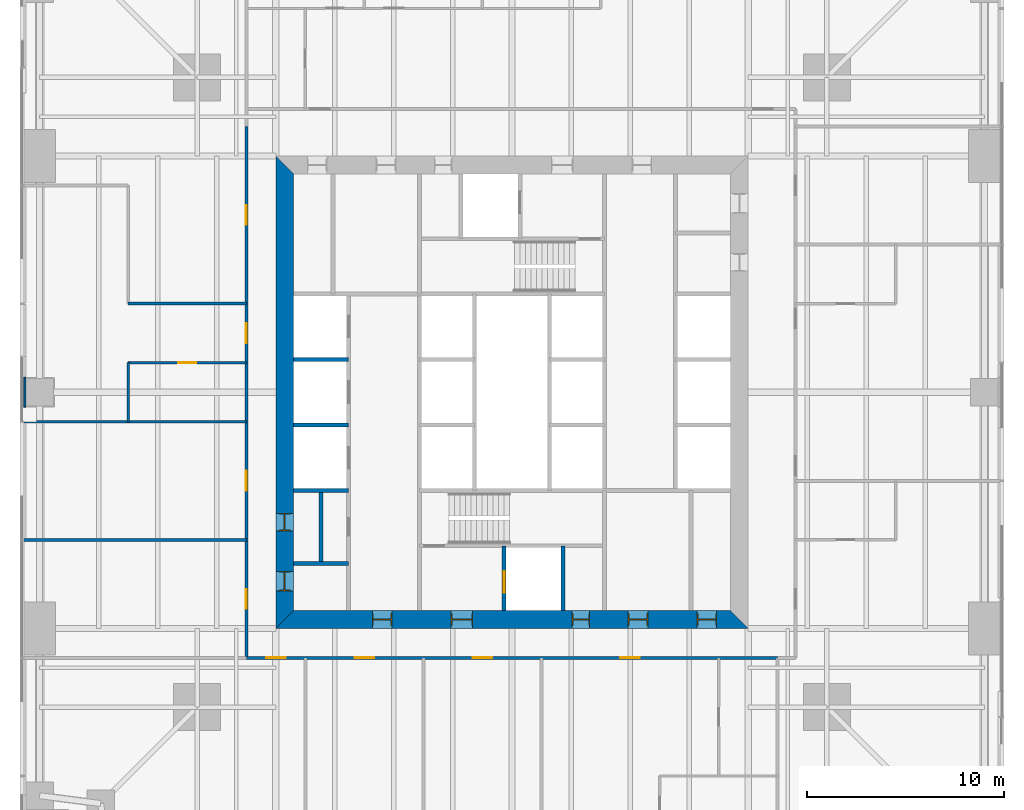
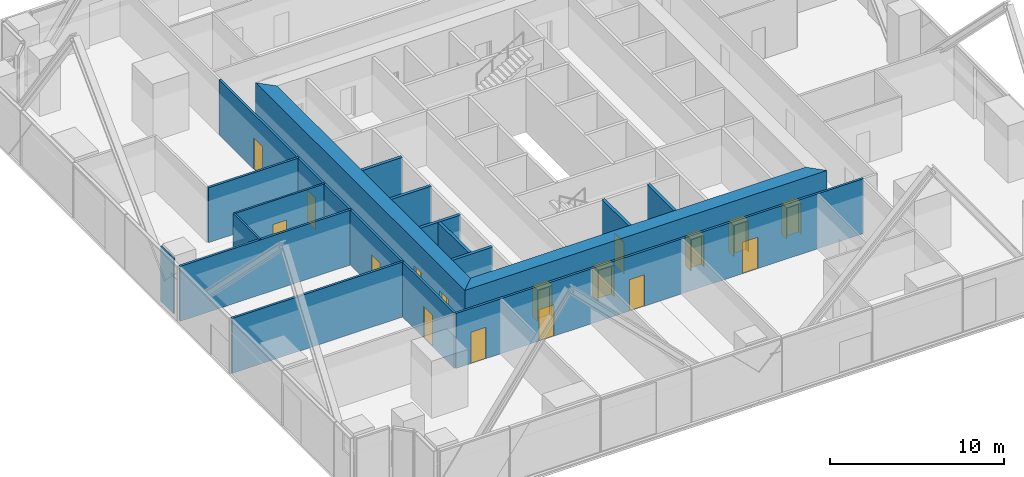
# One storey, part 9 of 13: 17 doors, 17 walls, 17 openings.
"""IFC4 building model written with IfcOpenShell, lengths in metres."""

import ifcopenshell
import ifcopenshell.guid

model = None  # the IFC model being written
_history = None  # IfcOwnerHistory: only IFC2X3 demands one
_inside = {}  # id of a spatial element -> (the spatial element, [elements in it])
_under = {}  # id of a project, library or spatial element -> (it, [spatial elements below it])
_declared = {}  # id of a project -> (the project, [libraries it declares])
_typed = {}  # id of a type object -> (the type object, [elements of that type])
_made_of = {}  # id of a material, layer set ... -> (it, [elements and type objects made of it])


def new_model(schema):
    """Start an empty IFC model of exactly this schema.

    Asked for "IFC4X3", IfcOpenShell would pick the latest addendum, in which some entities
    have other attributes; the version numbers below select the first issue.
    IFC2X3 requires an IfcOwnerHistory on every rooted entity: one is made here for all.
    """
    global model, _history
    if schema == "IFC4X3":
        model = ifcopenshell.file(schema_version=(4, 3, 0, 0))
    else:
        model = ifcopenshell.file(schema=schema)
    _inside.clear()
    _under.clear()
    _declared.clear()
    _typed.clear()
    _made_of.clear()
    _history = None
    if model.schema == "IFC2X3":
        org = make("IfcOrganization", Name="unknown")
        user = make(
            "IfcPersonAndOrganization",
            ThePerson=make("IfcPerson", FamilyName="unknown"),
            TheOrganization=org,
        )
        app = make(
            "IfcApplication",
            ApplicationDeveloper=org,
            Version="unknown",
            ApplicationFullName="unknown",
            ApplicationIdentifier="unknown",
        )
        _history = make(
            "IfcOwnerHistory",
            OwningUser=user,
            OwningApplication=app,
            ChangeAction="ADDED",
            CreationDate=0,
        )
    return model


def make(cls, **values):
    """One entity of the class cls with the attributes given. An attribute that is None is left unset."""
    return model.create_entity(
        cls, **{name: value for name, value in values.items() if value is not None}
    )


def rooted(cls, **values):
    """An entity with a GlobalId (a new one), such as an element, a storey or a relation."""
    return make(cls, GlobalId=ifcopenshell.guid.new(), OwnerHistory=_history, **values)


def si_unit(unit_type, name, prefix=None):
    """IfcSIUnit, for example si_unit("LENGTHUNIT", "METRE", prefix="MILLI")."""
    return make("IfcSIUnit", UnitType=unit_type, Prefix=prefix, Name=name)


def assignment(units):
    """IfcUnitAssignment: the units of a project."""
    return None if units is None else make("IfcUnitAssignment", Units=units)


def point(xyz):
    """IfcCartesianPoint."""
    return None if xyz is None else make("IfcCartesianPoint", Coordinates=xyz)


def direction(xyz):
    """IfcDirection."""
    return None if xyz is None else make("IfcDirection", DirectionRatios=xyz)


def frame(location, z_axis=None, x_axis=None):
    """IfcAxis2Placement3D, a coordinate frame: its origin and axes. An axis left out is left unset."""
    return make(
        "IfcAxis2Placement3D",
        Location=point(location),
        Axis=direction(z_axis),
        RefDirection=direction(x_axis),
    )


def frame_2d(location, x_axis=None):
    """IfcAxis2Placement2D, a coordinate frame in the plane: its origin and x axis."""
    return make(
        "IfcAxis2Placement2D", Location=point(location), RefDirection=direction(x_axis)
    )


def origin():
    """The frame at (0, 0, 0) with its axes left unset."""
    return frame((0.0, 0.0, 0.0))


def place(relative_to, where):
    """IfcLocalPlacement: puts the frame where relative to a parent placement (None: the world)."""
    return make(
        "IfcLocalPlacement", PlacementRelTo=relative_to, RelativePlacement=where
    )


def context(
    kind, dimensions, precision=None, world=None, true_north=None, identifier=None
):
    """IfcGeometricRepresentationContext, for example the 3D "Model" context."""
    return make(
        "IfcGeometricRepresentationContext",
        ContextIdentifier=identifier,
        ContextType=kind,
        CoordinateSpaceDimension=dimensions,
        Precision=precision,
        WorldCoordinateSystem=world,
        TrueNorth=true_north,
    )


def subcontext(parent, identifier, kind, view, scale=None):
    """IfcGeometricRepresentationSubContext, for example "Body" below "Model"."""
    return make(
        "IfcGeometricRepresentationSubContext",
        ContextIdentifier=identifier,
        ContextType=kind,
        ParentContext=parent,
        TargetScale=scale,
        TargetView=view,
    )


def project(units=None, contexts=None):
    """IfcProject with its units and contexts."""
    return rooted(
        "IfcProject",
        Name="project",
        RepresentationContexts=contexts,
        UnitsInContext=assignment(units),
    )


def spatial(cls, under=None, at=None, **own):
    """A site, building, storey or space (cls), placed at a placement, below another one or the project."""
    s = rooted(cls, ObjectPlacement=at, **own)
    if under is not None:
        _under.setdefault(under.id(), (under, []))[1].append(s)
    return s


def polyline(points):
    """IfcPolyline through the points."""
    return make("IfcPolyline", Points=[point(p) for p in points])


def profile(cls, at=None, kind="AREA", **sizes):
    """A parametric profile (cls). Its sizes go by their IFC names, for example OverallWidth=200.0."""
    return make(cls, ProfileType=kind, Position=at, **sizes)


def rectangle(**sizes):
    """IfcRectangleProfileDef."""
    return profile("IfcRectangleProfileDef", **sizes)


def outline(outer, holes=None, kind="AREA"):
    """IfcArbitraryClosedProfileDef: a profile drawn as a closed curve; with holes, ...WithVoids."""
    if holes is None:
        return make("IfcArbitraryClosedProfileDef", ProfileType=kind, OuterCurve=outer)
    return make(
        "IfcArbitraryProfileDefWithVoids",
        ProfileType=kind,
        OuterCurve=outer,
        InnerCurves=holes,
    )


def extrude(swept, where, along, depth):
    """IfcExtrudedAreaSolid: the profile swept, set in the frame where, extruded along a direction by depth."""
    return make(
        "IfcExtrudedAreaSolid",
        SweptArea=swept,
        Position=where,
        ExtrudedDirection=direction(along),
        Depth=depth,
    )


def shape(context_of_items, identifier, shape_type, items):
    """IfcShapeRepresentation: the items that make up one representation, for example the "Body"."""
    return make(
        "IfcShapeRepresentation",
        ContextOfItems=context_of_items,
        RepresentationIdentifier=identifier,
        RepresentationType=shape_type,
        Items=items,
    )


def material(Name=None, Category=None):
    """IfcMaterial."""
    return make("IfcMaterial", Name=Name, Category=Category)


def layer(
    of_material, thickness, ventilated=None, Name=None, Category=None, Priority=None
):
    """IfcMaterialLayer: one layer of a wall or slab, of a material (None: an air gap)."""
    return make(
        "IfcMaterialLayer",
        Material=of_material,
        LayerThickness=thickness,
        IsVentilated=ventilated,
        Name=Name,
        Category=Category,
        Priority=Priority,
    )


def layer_set(layers, Name=None):
    """IfcMaterialLayerSet."""
    return make("IfcMaterialLayerSet", MaterialLayers=layers, LayerSetName=Name)


def made_of(thing, what):
    """Note that an element or type object is made of a material, layer set ...; save() writes the relation."""
    if what is not None:
        _made_of.setdefault(what.id(), (what, []))[1].append(thing)
    return thing


def type_object(cls, material=None, **own):
    """A type object (cls), such as IfcWallType, which elements share."""
    return made_of(rooted(cls, **own), material)


def element(
    cls,
    number,
    at=None,
    inside=None,
    cuts=None,
    type_object=None,
    material=None,
    context=None,
    identifier="Body",
    shape_type=None,
    held_by="IfcProductDefinitionShape",
    body=None,
    shapes=None,
    **own,
):
    """One element of the class cls, such as IfcWall. Its Tag is "e" and its number.

    at: its placement. inside: the storey or other place that contains it. cuts: it is an
    opening in that element (IfcRelVoidsElement). A single representation is given by context,
    identifier, shape_type and body (its items); several are given by shapes. held_by: the class
    of the entity that holds the representations. save() writes the other relations.
    """
    e = rooted(cls, Tag="e%d" % number, ObjectPlacement=at, **own)
    if body is not None:
        shapes = [shape(context, identifier, shape_type, body)]
    if shapes is not None:
        e.Representation = make(held_by, Representations=shapes)
    if inside is not None:
        _inside.setdefault(inside.id(), (inside, []))[1].append(e)
    if cuts is not None:
        rooted(
            "IfcRelVoidsElement", RelatingBuildingElement=cuts, RelatedOpeningElement=e
        )
    if type_object is not None:
        _typed.setdefault(type_object.id(), (type_object, []))[1].append(e)
    return made_of(e, material)


def fill(opening, filler):
    """IfcRelFillsElement: the door or window that sits in an opening."""
    return rooted(
        "IfcRelFillsElement",
        RelatingOpeningElement=opening,
        RelatedBuildingElement=filler,
    )


def aggregate(whole, parts):
    """IfcRelAggregates: a whole, such as a stair, and the parts it consists of."""
    return rooted("IfcRelAggregates", RelatingObject=whole, RelatedObjects=parts)


def save(model, path):
    """Write the relations noted so far, then the file.

    IfcRelAggregates (storeys below a building ...), IfcRelContainedInSpatialStructure (elements
    in a storey), IfcRelDefinesByType, IfcRelAssociatesMaterial and IfcRelDeclares: one each for
    every whole, place, type object, material and project.
    """
    for whole, parts in _under.values():
        aggregate(whole, parts)
    for where, things in _inside.values():
        rooted(
            "IfcRelContainedInSpatialStructure",
            RelatedElements=things,
            RelatingStructure=where,
        )
    for kind, things in _typed.values():
        rooted("IfcRelDefinesByType", RelatedObjects=things, RelatingType=kind)
    for what, things in _made_of.values():
        rooted("IfcRelAssociatesMaterial", RelatedObjects=things, RelatingMaterial=what)
    for by, libraries in _declared.values():
        rooted("IfcRelDeclares", RelatingContext=by, RelatedDefinitions=libraries)
    model.write(path)


model = new_model("IFC4")

# Units and contexts
model_context = context("Model", 3, precision=1e-05, world=origin(), true_north=direction((0.0, 1.0)))
body_context = subcontext(model_context, "Body", "Model", "MODEL_VIEW")
ifc_project = project(units=[si_unit("LENGTHUNIT", "METRE"), si_unit("AREAUNIT", "SQUARE_METRE"), si_unit("VOLUMEUNIT", "CUBIC_METRE"), si_unit("PLANEANGLEUNIT", "RADIAN"), si_unit("MASSUNIT", "GRAM", prefix="KILO")], contexts=[model_context])

# Site, building, storey
site_placement = place(None, origin())
site = spatial("IfcSite", under=ifc_project, at=site_placement, CompositionType="ELEMENT")
building_placement = place(site_placement, origin())
building = spatial("IfcBuilding", under=site, at=building_placement, Name="Fenwick Lantern Interchange", CompositionType="ELEMENT")
storey_placement = place(building_placement, frame((0.0, 0.0, 67.0)))
storey = spatial("IfcBuildingStorey", under=building, at=storey_placement, Name="L15", CompositionType="ELEMENT", Elevation=67.0)

# Walls
ifc_material_1 = material(Name="Fire-rated gypsum board encasement on steel studs, 2 hour", Category="steel")
ifc_layer_1 = layer(ifc_material_1, 1.5)
ifc_layer_set_1 = layer_set([ifc_layer_1], Name="COLUMN PIER 1500")
wall_type_1 = type_object("IfcWallType", Name="COLUMN PIER 1500", PredefinedType="PARTITIONING", material=ifc_layer_set_1)
wall_1_placement = place(storey_placement, frame((0.199951171875, 25.0, 0.0), z_axis=(0.0, 0.0, 1.0), x_axis=(1.0, 0.0, 0.0)))
element("IfcWall", 1, at=wall_1_placement, inside=storey, type_object=wall_type_1, Name="L15/W/PIER/CW3", PredefinedType="PARTITIONING", context=body_context, shape_type="SweptSolid", body=[
    extrude(rectangle(XDim=0.10009765625, YDim=1.5, at=frame_2d((0.050048828125, 0.0))), origin(), (0.0, 0.0, 1.0), 3.85009765625),
])
ifc_material_2 = material(Name="Concrete masonry ASTM C90 Grade N", Category="masonry")
ifc_layer_2 = layer(ifc_material_2, 0.199951171875)
ifc_layer_set_2 = layer_set([ifc_layer_2], Name="Concrete masonry ASTM C90 Grade N")
wall_type_2 = type_object("IfcWallType", Name="CORE PARTITION 200", PredefinedType="PARTITIONING", material=ifc_layer_set_2)
for number, where, z_axis, x_axis, name in (
    (2, (13.89990234375, 20.0, 0.0), (0.0, 0.0, 1.0), (1.0, 0.0, 0.0), "L15/W/CORES/c2"),
    (3, (13.89990234375, 23.333251953125, 0.0), (0.0, 0.0, 1.0), (1.0, 0.0, 0.0), "L15/W/CORES/d1"),
    (4, (13.89990234375, 26.666748046875, 0.0), (0.0, 0.0, 1.0), (1.0, 0.0, 0.0), "L15/W/CORES/d2"),
):
    element("IfcWall", number, at=place(storey_placement, frame(where, z_axis=z_axis, x_axis=x_axis)), inside=storey, type_object=wall_type_2, Name=name, PredefinedType="PARTITIONING", context=body_context, shape_type="SweptSolid", body=[
        extrude(rectangle(XDim=2.800048828125, YDim=0.199951171875, at=frame_2d((1.39990234375, 0.0))), origin(), (0.0, 0.0, 1.0), 3.800048828125),
    ])

# Wall, opening, door
wall_2_placement = place(storey_placement, frame((24.60009765625, 13.89990234375, 0.0), z_axis=(0.0, 0.0, 1.0), x_axis=(0.0, 1.0, 0.0)))
wall_2 = element("IfcWall", 5, at=wall_2_placement, inside=storey, type_object=wall_type_2, Name="L15/W/CORES/h1", PredefinedType="PARTITIONING", context=body_context, shape_type="SweptSolid", body=[
    extrude(rectangle(XDim=3.300048828125, YDim=0.199951171875, at=frame_2d((1.64990234375, 0.0))), origin(), (0.0, 0.0, 1.0), 3.800048828125),
])
opening_1_placement = place(wall_2_placement, frame((0.89990234375, 0.0, 0.0)))
opening_1 = element("IfcOpeningElement", 6, at=opening_1_placement, cuts=wall_2, Name="Opening LD-FL1", PredefinedType="OPENING", context=body_context, shape_type="SweptSolid", body=[
    extrude(rectangle(XDim=1.10009765625, YDim=2.199951171875, at=frame_2d((0.550048828125, 1.10009765625))), frame((0.0, 0.10986328125, 0.0), z_axis=(0.0, -1.0, 0.0), x_axis=(1.0, 0.0, 0.0)), (0.0, 0.0, 1.0), 0.219970703125),
])
ifc_material_3 = material(Name="Steel door and frame", Category="steel")
door_type_1 = type_object("IfcDoorType", Name="LIFT LANDING DOOR 1100 X 2200", OperationType="DOUBLE_DOOR_SLIDING", PredefinedType="DOOR", material=ifc_material_3)
door_1_placement = place(opening_1_placement, origin())
door_1 = element("IfcDoor", 7, at=door_1_placement, inside=storey, type_object=door_type_1, Name="Lift landing door FL1", OperationType="DOUBLE_DOOR_SLIDING", OverallHeight=2.199951171875, OverallWidth=1.10009765625, PredefinedType="DOOR", context=body_context, shape_type="SweptSolid", body=[
    extrude(rectangle(XDim=1.10009765625, YDim=2.199951171875, at=frame_2d((0.550048828125, 1.10009765625))), frame((0.0, 0.02490234375, 0.0), z_axis=(0.0, -1.0, 0.0), x_axis=(1.0, 0.0, 0.0)), (0.0, 0.0, 1.0), 0.050048828125),
])
fill(opening_1, door_1)

# Walls
wall_3_placement = place(storey_placement, frame((27.60009765625, 13.89990234375, 0.0), z_axis=(0.0, 0.0, 1.0), x_axis=(0.0, 1.0, 0.0)))
element("IfcWall", 8, at=wall_3_placement, inside=storey, type_object=wall_type_2, Name="L15/W/CORES/h2", PredefinedType="PARTITIONING", context=body_context, shape_type="SweptSolid", body=[
    extrude(rectangle(XDim=3.300048828125, YDim=0.199951171875, at=frame_2d((1.64990234375, 0.0))), origin(), (0.0, 0.0, 1.0), 3.800048828125),
])
wall_4_placement = place(storey_placement, frame((13.89990234375, 16.300048828125, 0.0), z_axis=(0.0, 0.0, 1.0), x_axis=(1.0, 0.0, 0.0)))
element("IfcWall", 9, at=wall_4_placement, inside=storey, type_object=wall_type_2, Name="L15/W/CORES/p1", PredefinedType="PARTITIONING", context=body_context, shape_type="SweptSolid", body=[
    extrude(rectangle(XDim=2.800048828125, YDim=0.199951171875, at=frame_2d((1.39990234375, 0.0))), origin(), (0.0, 0.0, 1.0), 3.800048828125),
])
wall_5_placement = place(storey_placement, frame((15.300048828125, 16.300048828125, 0.0), z_axis=(0.0, 0.0, 1.0), x_axis=(0.0, 1.0, 0.0)))
element("IfcWall", 10, at=wall_5_placement, inside=storey, type_object=wall_type_2, Name="L15/W/CORES/px", PredefinedType="PARTITIONING", context=body_context, shape_type="SweptSolid", body=[
    extrude(rectangle(XDim=3.699951171875, YDim=0.199951171875, at=frame_2d((1.85009765625, 0.0))), origin(), (0.0, 0.0, 1.0), 3.800048828125),
])

# Wall, openings, doors
ifc_material_4 = material(Name="Concrete f'c 70 MPa", Category="concrete")
ifc_layer_3 = layer(ifc_material_4, 0.89990234375)
ifc_layer_set_3 = layer_set([ifc_layer_3], Name="CORE WALL 900")
wall_type_3 = type_object("IfcWallType", Name="CORE WALL 900", PredefinedType="SHEAR", material=ifc_layer_set_3)
wall_6_placement = place(storey_placement, frame((13.0, 13.449951171875, 0.0), z_axis=(0.0, 0.0, 1.0), x_axis=(1.0, 0.0, 0.0)))
wall_6 = element("IfcWall", 11, at=wall_6_placement, inside=storey, type_object=wall_type_3, Name="L15/CORE/S", PredefinedType="SHEAR", context=body_context, shape_type="SweptSolid", body=[
    extrude(outline(polyline([(0.0, -0.449951171875), (24.0, -0.449951171875), (23.10009765625, 0.449951171875), (0.89990234375, 0.449951171875), (0.0, -0.449951171875)])), origin(), (0.0, 0.0, 1.0), 4.0),
])
opening_2_placement = place(wall_6_placement, frame((4.89990234375, 0.0, 0.0)))
opening_2 = element("IfcOpeningElement", 12, at=opening_2_placement, cuts=wall_6, Name="Opening L15-D001", PredefinedType="OPENING", context=body_context, shape_type="SweptSolid", body=[
    extrude(rectangle(XDim=1.0, YDim=2.199951171875, at=frame_2d((0.5, 1.10009765625))), frame((0.0, 0.4599609375, 0.0), z_axis=(0.0, -1.0, 0.0), x_axis=(1.0, 0.0, 0.0)), (0.0, 0.0, 1.0), 0.919921875),
])
opening_3_placement = place(wall_6_placement, frame((8.89990234375, 0.0, 0.0)))
opening_3 = element("IfcOpeningElement", 13, at=opening_3_placement, cuts=wall_6, Name="Opening L15-D002", PredefinedType="OPENING", context=body_context, shape_type="SweptSolid", body=[
    extrude(rectangle(XDim=1.10009765625, YDim=2.199951171875, at=frame_2d((0.550048828125, 1.10009765625))), frame((0.0, 0.4599609375, 0.0), z_axis=(0.0, -1.0, 0.0), x_axis=(1.0, 0.0, 0.0)), (0.0, 0.0, 1.0), 0.919921875),
])
opening_4_placement = place(wall_6_placement, frame((15.050048828125, 0.0, 0.0)))
opening_4 = element("IfcOpeningElement", 14, at=opening_4_placement, cuts=wall_6, Name="Opening L15-D004", PredefinedType="OPENING", context=body_context, shape_type="SweptSolid", body=[
    extrude(rectangle(XDim=0.89990234375, YDim=2.199951171875, at=frame_2d((0.449951171875, 1.10009765625))), frame((0.0, 0.4599609375, 0.0), z_axis=(0.0, -1.0, 0.0), x_axis=(1.0, 0.0, 0.0)), (0.0, 0.0, 1.0), 0.919921875),
])
opening_5_placement = place(wall_6_placement, frame((17.89990234375, 0.0, 0.0)))
opening_5 = element("IfcOpeningElement", 15, at=opening_5_placement, cuts=wall_6, Name="Opening L15-D005", PredefinedType="OPENING", context=body_context, shape_type="SweptSolid", body=[
    extrude(rectangle(XDim=1.0, YDim=2.199951171875, at=frame_2d((0.5, 1.10009765625))), frame((0.0, 0.4599609375, 0.0), z_axis=(0.0, -1.0, 0.0), x_axis=(1.0, 0.0, 0.0)), (0.0, 0.0, 1.0), 0.919921875),
])
opening_6_placement = place(wall_6_placement, frame((21.39990234375, 0.0, 0.0)))
opening_6 = element("IfcOpeningElement", 16, at=opening_6_placement, cuts=wall_6, Name="Opening L15-D006", PredefinedType="OPENING", context=body_context, shape_type="SweptSolid", body=[
    extrude(rectangle(XDim=1.0, YDim=2.199951171875, at=frame_2d((0.5, 1.10009765625))), frame((0.0, 0.4599609375, 0.0), z_axis=(0.0, -1.0, 0.0), x_axis=(1.0, 0.0, 0.0)), (0.0, 0.0, 1.0), 0.919921875),
])
door_type_2 = type_object("IfcDoorType", Name="CORE LOBBY DOOR 1000 X 2200", OperationType="SINGLE_SWING_LEFT", PredefinedType="DOOR", material=ifc_material_3)
door_2_placement = place(opening_2_placement, origin())
door_2 = element("IfcDoor", 17, at=door_2_placement, inside=storey, type_object=door_type_2, Name="Core lobby door", OperationType="SINGLE_SWING_LEFT", OverallHeight=2.199951171875, OverallWidth=1.0, PredefinedType="DOOR", context=body_context, shape_type="SweptSolid", body=[
    extrude(rectangle(XDim=1.0, YDim=2.199951171875, at=frame_2d((0.5, 1.10009765625))), frame((0.0, 0.02490234375, 0.0), z_axis=(0.0, -1.0, 0.0), x_axis=(1.0, 0.0, 0.0)), (0.0, 0.0, 1.0), 0.050048828125),
    extrude(outline(polyline([(0.0, 0.0), (0.0400390625, 0.0), (0.0400390625, 2.159912109375), (0.9599609375, 2.159912109375), (0.9599609375, 0.0), (1.0, 0.0), (1.0, 2.199951171875), (0.0, 2.199951171875), (0.0, 0.0)])), frame((0.0, 0.300048828125, 0.0), z_axis=(0.0, -1.0, 0.0), x_axis=(1.0, 0.0, 0.0)), (0.0, 0.0, 1.0), 0.60009765625),
])
fill(opening_2, door_2)
door_type_3 = type_object("IfcDoorType", Name="FIRE LOBBY DOOR 1100 X 2200", OperationType="SINGLE_SWING_LEFT", PredefinedType="DOOR", material=ifc_material_3)
door_3_placement = place(opening_3_placement, origin())
door_3 = element("IfcDoor", 18, at=door_3_placement, inside=storey, type_object=door_type_3, Name="Fire lobby door", OperationType="SINGLE_SWING_LEFT", OverallHeight=2.199951171875, OverallWidth=1.10009765625, PredefinedType="DOOR", context=body_context, shape_type="SweptSolid", body=[
    extrude(rectangle(XDim=1.10009765625, YDim=2.199951171875, at=frame_2d((0.550048828125, 1.10009765625))), frame((0.0, 0.02490234375, 0.0), z_axis=(0.0, -1.0, 0.0), x_axis=(1.0, 0.0, 0.0)), (0.0, 0.0, 1.0), 0.050048828125),
    extrude(outline(polyline([(0.0, 0.0), (0.0400390625, 0.0), (0.0400390625, 2.159912109375), (1.06005859375, 2.159912109375), (1.06005859375, 0.0), (1.10009765625, 0.0), (1.10009765625, 2.199951171875), (0.0, 2.199951171875), (0.0, 0.0)])), frame((0.0, 0.300048828125, 0.0), z_axis=(0.0, -1.0, 0.0), x_axis=(1.0, 0.0, 0.0)), (0.0, 0.0, 1.0), 0.60009765625),
])
fill(opening_3, door_3)
door_type_4 = type_object("IfcDoorType", Name="SERVICE DOOR 900 X 2200", OperationType="SINGLE_SWING_LEFT", PredefinedType="DOOR", material=ifc_material_3)
door_4_placement = place(opening_4_placement, origin())
door_4 = element("IfcDoor", 19, at=door_4_placement, inside=storey, type_object=door_type_4, Name="Service door", OperationType="SINGLE_SWING_LEFT", OverallHeight=2.199951171875, OverallWidth=0.89990234375, PredefinedType="DOOR", context=body_context, shape_type="SweptSolid", body=[
    extrude(rectangle(XDim=0.89990234375, YDim=2.199951171875, at=frame_2d((0.449951171875, 1.10009765625))), frame((0.0, 0.02490234375, 0.0), z_axis=(0.0, -1.0, 0.0), x_axis=(1.0, 0.0, 0.0)), (0.0, 0.0, 1.0), 0.050048828125),
    extrude(outline(polyline([(0.0, 0.0), (0.0400390625, 0.0), (0.0400390625, 2.159912109375), (0.85986328125, 2.159912109375), (0.85986328125, 0.0), (0.89990234375, 0.0), (0.89990234375, 2.199951171875), (0.0, 2.199951171875), (0.0, 0.0)])), frame((0.0, 0.300048828125, 0.0), z_axis=(0.0, -1.0, 0.0), x_axis=(1.0, 0.0, 0.0)), (0.0, 0.0, 1.0), 0.60009765625),
])
fill(opening_4, door_4)
ifc_material_5 = material(Name="Hardwood door and steel frame", Category="steel")
door_type_5 = type_object("IfcDoorType", Name="WC DOOR 1000 X 2200", OperationType="SINGLE_SWING_LEFT", PredefinedType="DOOR", material=ifc_material_5)
door_5_placement = place(opening_5_placement, origin())
door_5 = element("IfcDoor", 20, at=door_5_placement, inside=storey, type_object=door_type_5, Name="Wc door", OperationType="SINGLE_SWING_LEFT", OverallHeight=2.199951171875, OverallWidth=1.0, PredefinedType="DOOR", context=body_context, shape_type="SweptSolid", body=[
    extrude(rectangle(XDim=1.0, YDim=2.199951171875, at=frame_2d((0.5, 1.10009765625))), frame((0.0, 0.02490234375, 0.0), z_axis=(0.0, -1.0, 0.0), x_axis=(1.0, 0.0, 0.0)), (0.0, 0.0, 1.0), 0.050048828125),
    extrude(outline(polyline([(0.0, 0.0), (0.0400390625, 0.0), (0.0400390625, 2.159912109375), (0.9599609375, 2.159912109375), (0.9599609375, 0.0), (1.0, 0.0), (1.0, 2.199951171875), (0.0, 2.199951171875), (0.0, 0.0)])), frame((0.0, 0.300048828125, 0.0), z_axis=(0.0, -1.0, 0.0), x_axis=(1.0, 0.0, 0.0)), (0.0, 0.0, 1.0), 0.60009765625),
])
fill(opening_5, door_5)
door_6_placement = place(opening_6_placement, origin())
door_6 = element("IfcDoor", 21, at=door_6_placement, inside=storey, type_object=door_type_5, Name="Wc door", OperationType="SINGLE_SWING_LEFT", OverallHeight=2.199951171875, OverallWidth=1.0, PredefinedType="DOOR", context=body_context, shape_type="SweptSolid", body=[
    extrude(rectangle(XDim=1.0, YDim=2.199951171875, at=frame_2d((0.5, 1.10009765625))), frame((0.0, 0.02490234375, 0.0), z_axis=(0.0, -1.0, 0.0), x_axis=(1.0, 0.0, 0.0)), (0.0, 0.0, 1.0), 0.050048828125),
    extrude(outline(polyline([(0.0, 0.0), (0.0400390625, 0.0), (0.0400390625, 2.159912109375), (0.9599609375, 2.159912109375), (0.9599609375, 0.0), (1.0, 0.0), (1.0, 2.199951171875), (0.0, 2.199951171875), (0.0, 0.0)])), frame((0.0, 0.300048828125, 0.0), z_axis=(0.0, -1.0, 0.0), x_axis=(1.0, 0.0, 0.0)), (0.0, 0.0, 1.0), 0.60009765625),
])
fill(opening_6, door_6)

wall_7_placement = place(storey_placement, frame((13.449951171875, 36.10009765625, 0.0), z_axis=(0.0, 0.0, 1.0), x_axis=(0.0, -1.0, 0.0)))
wall_7 = element("IfcWall", 22, at=wall_7_placement, inside=storey, type_object=wall_type_3, Name="L15/CORE/W", PredefinedType="SHEAR", context=body_context, shape_type="SweptSolid", body=[
    extrude(outline(polyline([(-0.89990234375, -0.449951171875), (23.10009765625, -0.449951171875), (22.199951171875, 0.449951171875), (0.0, 0.449951171875), (-0.89990234375, -0.449951171875)])), origin(), (0.0, 0.0, 1.0), 4.0),
])
opening_7_placement = place(wall_7_placement, frame((20.199951171875, 0.0, 0.0)))
opening_7 = element("IfcOpeningElement", 23, at=opening_7_placement, cuts=wall_7, Name="Opening L15-D007", PredefinedType="OPENING", context=body_context, shape_type="SweptSolid", body=[
    extrude(rectangle(XDim=1.0, YDim=2.199951171875, at=frame_2d((0.5, 1.10009765625))), frame((0.0, 0.4599609375, 0.0), z_axis=(0.0, -1.0, 0.0), x_axis=(1.0, 0.0, 0.0)), (0.0, 0.0, 1.0), 0.919921875),
])
opening_8_placement = place(wall_7_placement, frame((17.25, 0.0, 0.0)))
opening_8 = element("IfcOpeningElement", 24, at=opening_8_placement, cuts=wall_7, Name="Opening L15-D009", PredefinedType="OPENING", context=body_context, shape_type="SweptSolid", body=[
    extrude(rectangle(XDim=0.89990234375, YDim=2.199951171875, at=frame_2d((0.449951171875, 1.10009765625))), frame((0.0, 0.4599609375, 0.0), z_axis=(0.0, -1.0, 0.0), x_axis=(1.0, 0.0, 0.0)), (0.0, 0.0, 1.0), 0.919921875),
])
door_7_placement = place(opening_8_placement, origin())
door_7 = element("IfcDoor", 25, at=door_7_placement, inside=storey, type_object=door_type_4, Name="Service door", OperationType="SINGLE_SWING_LEFT", OverallHeight=2.199951171875, OverallWidth=0.89990234375, PredefinedType="DOOR", context=body_context, shape_type="SweptSolid", body=[
    extrude(rectangle(XDim=0.89990234375, YDim=2.199951171875, at=frame_2d((0.449951171875, 1.10009765625))), frame((0.0, 0.02490234375, 0.0), z_axis=(0.0, -1.0, 0.0), x_axis=(1.0, 0.0, 0.0)), (0.0, 0.0, 1.0), 0.050048828125),
    extrude(outline(polyline([(0.0, 0.0), (0.0400390625, 0.0), (0.0400390625, 2.159912109375), (0.85986328125, 2.159912109375), (0.85986328125, 0.0), (0.89990234375, 0.0), (0.89990234375, 2.199951171875), (0.0, 2.199951171875), (0.0, 0.0)])), frame((0.0, 0.300048828125, 0.0), z_axis=(0.0, -1.0, 0.0), x_axis=(1.0, 0.0, 0.0)), (0.0, 0.0, 1.0), 0.60009765625),
])
fill(opening_8, door_7)
door_8_placement = place(opening_7_placement, origin())
door_8 = element("IfcDoor", 26, at=door_8_placement, inside=storey, type_object=door_type_5, Name="Wc door", OperationType="SINGLE_SWING_LEFT", OverallHeight=2.199951171875, OverallWidth=1.0, PredefinedType="DOOR", context=body_context, shape_type="SweptSolid", body=[
    extrude(rectangle(XDim=1.0, YDim=2.199951171875, at=frame_2d((0.5, 1.10009765625))), frame((0.0, 0.02490234375, 0.0), z_axis=(0.0, -1.0, 0.0), x_axis=(1.0, 0.0, 0.0)), (0.0, 0.0, 1.0), 0.050048828125),
    extrude(outline(polyline([(0.0, 0.0), (0.0400390625, 0.0), (0.0400390625, 2.159912109375), (0.9599609375, 2.159912109375), (0.9599609375, 0.0), (1.0, 0.0), (1.0, 2.199951171875), (0.0, 2.199951171875), (0.0, 0.0)])), frame((0.0, 0.300048828125, 0.0), z_axis=(0.0, -1.0, 0.0), x_axis=(1.0, 0.0, 0.0)), (0.0, 0.0, 1.0), 0.60009765625),
])
fill(opening_7, door_8)

ifc_material_6 = material(Name="Gypsum board on steel studs, 1 hour", Category="steel")
ifc_layer_4 = layer(ifc_material_6, 0.14990234375)
ifc_layer_set_4 = layer_set([ifc_layer_4], Name="CORRIDOR WALL 150")
wall_type_4 = type_object("IfcWallType", Name="CORRIDOR WALL 150", PredefinedType="PARTITIONING", material=ifc_layer_set_4)
wall_8_placement = place(storey_placement, frame((11.5, 11.5, 0.0), z_axis=(0.0, 0.0, 1.0), x_axis=(1.0, 0.0, 0.0)))
wall_8 = element("IfcWall", 27, at=wall_8_placement, inside=storey, type_object=wall_type_4, Name="L15/W/OFF/S/CW", PredefinedType="PARTITIONING", context=body_context, shape_type="SweptSolid", body=[
    extrude(rectangle(XDim=27.0, YDim=0.14990234375, at=frame_2d((13.5, 0.0))), origin(), (0.0, 0.0, 1.0), 3.85009765625),
])
opening_9_placement = place(wall_8_placement, frame((1.0, 0.0, 0.0)))
opening_9 = element("IfcOpeningElement", 28, at=opening_9_placement, cuts=wall_8, Name="Opening L15-D018", PredefinedType="OPENING", context=body_context, shape_type="SweptSolid", body=[
    extrude(rectangle(XDim=1.0, YDim=2.199951171875, at=frame_2d((0.5, 1.10009765625))), frame((0.0, 0.0849609375, 0.0), z_axis=(0.0, -1.0, 0.0), x_axis=(1.0, 0.0, 0.0)), (0.0, 0.0, 1.0), 0.169921875),
])
opening_10_placement = place(wall_8_placement, frame((5.5, 0.0, 0.0)))
opening_10 = element("IfcOpeningElement", 29, at=opening_10_placement, cuts=wall_8, Name="Opening L15-D019", PredefinedType="OPENING", context=body_context, shape_type="SweptSolid", body=[
    extrude(rectangle(XDim=1.0, YDim=2.199951171875, at=frame_2d((0.5, 1.10009765625))), frame((0.0, 0.0849609375, 0.0), z_axis=(0.0, -1.0, 0.0), x_axis=(1.0, 0.0, 0.0)), (0.0, 0.0, 1.0), 0.169921875),
])
opening_11_placement = place(wall_8_placement, frame((11.5, 0.0, 0.0)))
opening_11 = element("IfcOpeningElement", 30, at=opening_11_placement, cuts=wall_8, Name="Opening L15-D020", PredefinedType="OPENING", context=body_context, shape_type="SweptSolid", body=[
    extrude(rectangle(XDim=1.0, YDim=2.199951171875, at=frame_2d((0.5, 1.10009765625))), frame((0.0, 0.0849609375, 0.0), z_axis=(0.0, -1.0, 0.0), x_axis=(1.0, 0.0, 0.0)), (0.0, 0.0, 1.0), 0.169921875),
])
opening_12_placement = place(wall_8_placement, frame((19.0, 0.0, 0.0)))
opening_12 = element("IfcOpeningElement", 31, at=opening_12_placement, cuts=wall_8, Name="Opening L15-D021", PredefinedType="OPENING", context=body_context, shape_type="SweptSolid", body=[
    extrude(rectangle(XDim=1.0, YDim=2.199951171875, at=frame_2d((0.5, 1.10009765625))), frame((0.0, 0.0849609375, 0.0), z_axis=(0.0, -1.0, 0.0), x_axis=(1.0, 0.0, 0.0)), (0.0, 0.0, 1.0), 0.169921875),
])
door_type_6 = type_object("IfcDoorType", Name="SUITE ENTRANCE DOOR 1000 X 2200", OperationType="SINGLE_SWING_LEFT", PredefinedType="DOOR", material=ifc_material_3)
door_9_placement = place(opening_9_placement, frame((1.0, 0.0, 0.0), z_axis=(0.0, 0.0, 1.0), x_axis=(-1.0, 0.0, 0.0)))
door_9 = element("IfcDoor", 32, at=door_9_placement, inside=storey, type_object=door_type_6, Name="Suite entrance door", OperationType="SINGLE_SWING_LEFT", OverallHeight=2.199951171875, OverallWidth=1.0, PredefinedType="DOOR", context=body_context, shape_type="SweptSolid", body=[
    extrude(rectangle(XDim=1.0, YDim=2.199951171875, at=frame_2d((0.5, 1.10009765625))), frame((0.0, 0.02490234375, 0.0), z_axis=(0.0, -1.0, 0.0), x_axis=(1.0, 0.0, 0.0)), (0.0, 0.0, 1.0), 0.050048828125),
])
fill(opening_9, door_9)
door_10_placement = place(opening_10_placement, frame((1.0, 0.0, 0.0), z_axis=(0.0, 0.0, 1.0), x_axis=(-1.0, 0.0, 0.0)))
door_10 = element("IfcDoor", 33, at=door_10_placement, inside=storey, type_object=door_type_6, Name="Suite entrance door", OperationType="SINGLE_SWING_RIGHT", OverallHeight=2.199951171875, OverallWidth=1.0, PredefinedType="DOOR", context=body_context, shape_type="SweptSolid", body=[
    extrude(rectangle(XDim=1.0, YDim=2.199951171875, at=frame_2d((0.5, 1.10009765625))), frame((0.0, 0.02490234375, 0.0), z_axis=(0.0, -1.0, 0.0), x_axis=(1.0, 0.0, 0.0)), (0.0, 0.0, 1.0), 0.050048828125),
])
fill(opening_10, door_10)
door_11_placement = place(opening_11_placement, frame((1.0, 0.0, 0.0), z_axis=(0.0, 0.0, 1.0), x_axis=(-1.0, 0.0, 0.0)))
door_11 = element("IfcDoor", 34, at=door_11_placement, inside=storey, type_object=door_type_6, Name="Suite entrance door", OperationType="SINGLE_SWING_RIGHT", OverallHeight=2.199951171875, OverallWidth=1.0, PredefinedType="DOOR", context=body_context, shape_type="SweptSolid", body=[
    extrude(rectangle(XDim=1.0, YDim=2.199951171875, at=frame_2d((0.5, 1.10009765625))), frame((0.0, 0.02490234375, 0.0), z_axis=(0.0, -1.0, 0.0), x_axis=(1.0, 0.0, 0.0)), (0.0, 0.0, 1.0), 0.050048828125),
])
fill(opening_11, door_11)
door_12_placement = place(opening_12_placement, frame((1.0, 0.0, 0.0), z_axis=(0.0, 0.0, 1.0), x_axis=(-1.0, 0.0, 0.0)))
door_12 = element("IfcDoor", 35, at=door_12_placement, inside=storey, type_object=door_type_6, Name="Suite entrance door", OperationType="SINGLE_SWING_RIGHT", OverallHeight=2.199951171875, OverallWidth=1.0, PredefinedType="DOOR", context=body_context, shape_type="SweptSolid", body=[
    extrude(rectangle(XDim=1.0, YDim=2.199951171875, at=frame_2d((0.5, 1.10009765625))), frame((0.0, 0.02490234375, 0.0), z_axis=(0.0, -1.0, 0.0), x_axis=(1.0, 0.0, 0.0)), (0.0, 0.0, 1.0), 0.050048828125),
])
fill(opening_12, door_12)

wall_9_placement = place(storey_placement, frame((11.5, 38.5, 0.0), z_axis=(0.0, 0.0, 1.0), x_axis=(0.0, -1.0, 0.0)))
wall_9 = element("IfcWall", 36, at=wall_9_placement, inside=storey, type_object=wall_type_4, Name="L15/W/OFF/W/CW", PredefinedType="PARTITIONING", context=body_context, shape_type="SweptSolid", body=[
    extrude(rectangle(XDim=27.0, YDim=0.14990234375, at=frame_2d((13.5, 0.0))), origin(), (0.0, 0.0, 1.0), 3.85009765625),
])
opening_13_placement = place(wall_9_placement, frame((4.0, 0.0, 0.0)))
opening_13 = element("IfcOpeningElement", 37, at=opening_13_placement, cuts=wall_9, Name="Opening L15-D036", PredefinedType="OPENING", context=body_context, shape_type="SweptSolid", body=[
    extrude(rectangle(XDim=1.0, YDim=2.199951171875, at=frame_2d((0.5, 1.10009765625))), frame((0.0, 0.0849609375, 0.0), z_axis=(0.0, -1.0, 0.0), x_axis=(1.0, 0.0, 0.0)), (0.0, 0.0, 1.0), 0.169921875),
])
opening_14_placement = place(wall_9_placement, frame((10.0, 0.0, 0.0)))
opening_14 = element("IfcOpeningElement", 38, at=opening_14_placement, cuts=wall_9, Name="Opening L15-D037", PredefinedType="OPENING", context=body_context, shape_type="SweptSolid", body=[
    extrude(rectangle(XDim=1.0, YDim=2.199951171875, at=frame_2d((0.5, 1.10009765625))), frame((0.0, 0.0849609375, 0.0), z_axis=(0.0, -1.0, 0.0), x_axis=(1.0, 0.0, 0.0)), (0.0, 0.0, 1.0), 0.169921875),
])
opening_15_placement = place(wall_9_placement, frame((17.5, 0.0, 0.0)))
opening_15 = element("IfcOpeningElement", 39, at=opening_15_placement, cuts=wall_9, Name="Opening L15-D039", PredefinedType="OPENING", context=body_context, shape_type="SweptSolid", body=[
    extrude(rectangle(XDim=1.0, YDim=2.199951171875, at=frame_2d((0.5, 1.10009765625))), frame((0.0, 0.0849609375, 0.0), z_axis=(0.0, -1.0, 0.0), x_axis=(1.0, 0.0, 0.0)), (0.0, 0.0, 1.0), 0.169921875),
])
opening_16_placement = place(wall_9_placement, frame((23.5, 0.0, 0.0)))
opening_16 = element("IfcOpeningElement", 40, at=opening_16_placement, cuts=wall_9, Name="Opening L15-D040", PredefinedType="OPENING", context=body_context, shape_type="SweptSolid", body=[
    extrude(rectangle(XDim=1.0, YDim=2.199951171875, at=frame_2d((0.5, 1.10009765625))), frame((0.0, 0.0849609375, 0.0), z_axis=(0.0, -1.0, 0.0), x_axis=(1.0, 0.0, 0.0)), (0.0, 0.0, 1.0), 0.169921875),
])
door_13_placement = place(opening_13_placement, frame((1.0, 0.0, 0.0), z_axis=(0.0, 0.0, 1.0), x_axis=(-1.0, 0.0, 0.0)))
door_13 = element("IfcDoor", 41, at=door_13_placement, inside=storey, type_object=door_type_6, Name="Suite entrance door", OperationType="SINGLE_SWING_LEFT", OverallHeight=2.199951171875, OverallWidth=1.0, PredefinedType="DOOR", context=body_context, shape_type="SweptSolid", body=[
    extrude(rectangle(XDim=1.0, YDim=2.199951171875, at=frame_2d((0.5, 1.10009765625))), frame((0.0, 0.02490234375, 0.0), z_axis=(0.0, -1.0, 0.0), x_axis=(1.0, 0.0, 0.0)), (0.0, 0.0, 1.0), 0.050048828125),
])
fill(opening_13, door_13)
door_14_placement = place(opening_14_placement, frame((1.0, 0.0, 0.0), z_axis=(0.0, 0.0, 1.0), x_axis=(-1.0, 0.0, 0.0)))
door_14 = element("IfcDoor", 42, at=door_14_placement, inside=storey, type_object=door_type_6, Name="Suite entrance door", OperationType="SINGLE_SWING_RIGHT", OverallHeight=2.199951171875, OverallWidth=1.0, PredefinedType="DOOR", context=body_context, shape_type="SweptSolid", body=[
    extrude(rectangle(XDim=1.0, YDim=2.199951171875, at=frame_2d((0.5, 1.10009765625))), frame((0.0, 0.02490234375, 0.0), z_axis=(0.0, -1.0, 0.0), x_axis=(1.0, 0.0, 0.0)), (0.0, 0.0, 1.0), 0.050048828125),
])
fill(opening_14, door_14)
door_15_placement = place(opening_15_placement, frame((1.0, 0.0, 0.0), z_axis=(0.0, 0.0, 1.0), x_axis=(-1.0, 0.0, 0.0)))
door_15 = element("IfcDoor", 43, at=door_15_placement, inside=storey, type_object=door_type_6, Name="Suite entrance door", OperationType="SINGLE_SWING_RIGHT", OverallHeight=2.199951171875, OverallWidth=1.0, PredefinedType="DOOR", context=body_context, shape_type="SweptSolid", body=[
    extrude(rectangle(XDim=1.0, YDim=2.199951171875, at=frame_2d((0.5, 1.10009765625))), frame((0.0, 0.02490234375, 0.0), z_axis=(0.0, -1.0, 0.0), x_axis=(1.0, 0.0, 0.0)), (0.0, 0.0, 1.0), 0.050048828125),
])
fill(opening_15, door_15)
door_16_placement = place(opening_16_placement, frame((1.0, 0.0, 0.0), z_axis=(0.0, 0.0, 1.0), x_axis=(-1.0, 0.0, 0.0)))
door_16 = element("IfcDoor", 44, at=door_16_placement, inside=storey, type_object=door_type_6, Name="Suite entrance door", OperationType="SINGLE_SWING_RIGHT", OverallHeight=2.199951171875, OverallWidth=1.0, PredefinedType="DOOR", context=body_context, shape_type="SweptSolid", body=[
    extrude(rectangle(XDim=1.0, YDim=2.199951171875, at=frame_2d((0.5, 1.10009765625))), frame((0.0, 0.02490234375, 0.0), z_axis=(0.0, -1.0, 0.0), x_axis=(1.0, 0.0, 0.0)), (0.0, 0.0, 1.0), 0.050048828125),
])
fill(opening_16, door_16)

# Wall, opening, door
ifc_material_7 = material(Name="Gypsum board on steel studs, acoustic", Category="steel")
ifc_layer_5 = layer(ifc_material_7, 0.125)
ifc_layer_set_5 = layer_set([ifc_layer_5], Name="OFFICE PARTITION 125")
wall_type_5 = type_object("IfcWallType", Name="OFFICE PARTITION 125", PredefinedType="PARTITIONING", material=ifc_layer_set_5)
wall_10_placement = place(storey_placement, frame((5.5, 26.5, 0.0), z_axis=(0.0, 0.0, 1.0), x_axis=(1.0, 0.0, 0.0)))
wall_10 = element("IfcWall", 45, at=wall_10_placement, inside=storey, type_object=wall_type_5, Name="L15/W/OFF/W/X235-1", PredefinedType="PARTITIONING", context=body_context, shape_type="SweptSolid", body=[
    extrude(rectangle(XDim=6.0, YDim=0.125, at=frame_2d((3.0, 0.0))), origin(), (0.0, 0.0, 1.0), 3.85009765625),
])
opening_17_placement = place(wall_10_placement, frame((2.550048828125, 0.0, 0.0)))
opening_17 = element("IfcOpeningElement", 46, at=opening_17_placement, cuts=wall_10, Name="Opening L15-D038", PredefinedType="OPENING", context=body_context, shape_type="SweptSolid", body=[
    extrude(rectangle(XDim=0.89990234375, YDim=2.199951171875, at=frame_2d((0.449951171875, 1.10009765625))), frame((0.0, 0.072509765625, 0.0), z_axis=(0.0, -1.0, 0.0), x_axis=(1.0, 0.0, 0.0)), (0.0, 0.0, 1.0), 0.14501953125),
])
door_type_7 = type_object("IfcDoorType", Name="OFFICE DOOR 900 X 2200", OperationType="SINGLE_SWING_LEFT", PredefinedType="DOOR", material=ifc_material_5)
door_17_placement = place(opening_17_placement, frame((0.89990234375, 0.0, 0.0), z_axis=(0.0, 0.0, 1.0), x_axis=(-1.0, 0.0, 0.0)))
door_17 = element("IfcDoor", 47, at=door_17_placement, inside=storey, type_object=door_type_7, Name="Office door", OperationType="SINGLE_SWING_RIGHT", OverallHeight=2.199951171875, OverallWidth=0.89990234375, PredefinedType="DOOR", context=body_context, shape_type="SweptSolid", body=[
    extrude(rectangle(XDim=0.89990234375, YDim=2.199951171875, at=frame_2d((0.449951171875, 1.10009765625))), frame((0.0, 0.02490234375, 0.0), z_axis=(0.0, -1.0, 0.0), x_axis=(1.0, 0.0, 0.0)), (0.0, 0.0, 1.0), 0.050048828125),
])
fill(opening_17, door_17)

# Walls
wall_11_placement = place(storey_placement, frame((5.5, 26.5, 0.0), z_axis=(0.0, 0.0, 1.0), x_axis=(0.0, -1.0, 0.0)))
element("IfcWall", 48, at=wall_11_placement, inside=storey, type_object=wall_type_5, Name="L15/W/OFF/W/Y55-2", PredefinedType="PARTITIONING", context=body_context, shape_type="SweptSolid", body=[
    extrude(rectangle(XDim=3.0, YDim=0.125, at=frame_2d((1.5, 0.0))), origin(), (0.0, 0.0, 1.0), 3.85009765625),
])
ifc_material_8 = material(Name="Gypsum board on steel studs, 1 hour acoustic", Category="steel")
ifc_layer_6 = layer(ifc_material_8, 0.14990234375)
ifc_layer_set_6 = layer_set([ifc_layer_6], Name="TENANT WALL 150")
wall_type_6 = type_object("IfcWallType", Name="TENANT WALL 150", PredefinedType="PARTITIONING", material=ifc_layer_set_6)
wall_12_placement = place(storey_placement, frame((5.5, 29.5, 0.0), z_axis=(0.0, 0.0, 1.0), x_axis=(1.0, 0.0, 0.0)))
element("IfcWall", 49, at=wall_12_placement, inside=storey, type_object=wall_type_6, Name="L15/W/OFF/W/X205-1", PredefinedType="PARTITIONING", context=body_context, shape_type="SweptSolid", body=[
    extrude(rectangle(XDim=6.0, YDim=0.14990234375, at=frame_2d((3.0, 0.0))), origin(), (0.0, 0.0, 1.0), 3.85009765625),
])
for number, where, z_axis, x_axis, name in (
    (50, (0.14990234375, 23.5, 0.0), (0.0, 0.0, 1.0), (1.0, 0.0, 0.0), "L15/W/OFF/W/X265-1"),
    (51, (0.14990234375, 17.5, 0.0), (0.0, 0.0, 1.0), (1.0, 0.0, 0.0), "L15/W/OFF/W/X325-1"),
):
    element("IfcWall", number, at=place(storey_placement, frame(where, z_axis=z_axis, x_axis=x_axis)), inside=storey, type_object=wall_type_6, Name=name, PredefinedType="PARTITIONING", context=body_context, shape_type="SweptSolid", body=[
        extrude(rectangle(XDim=11.35009765625, YDim=0.14990234375, at=frame_2d((5.675048828125, 0.0))), origin(), (0.0, 0.0, 1.0), 3.85009765625),
    ])

save(model, "model.ifc")
